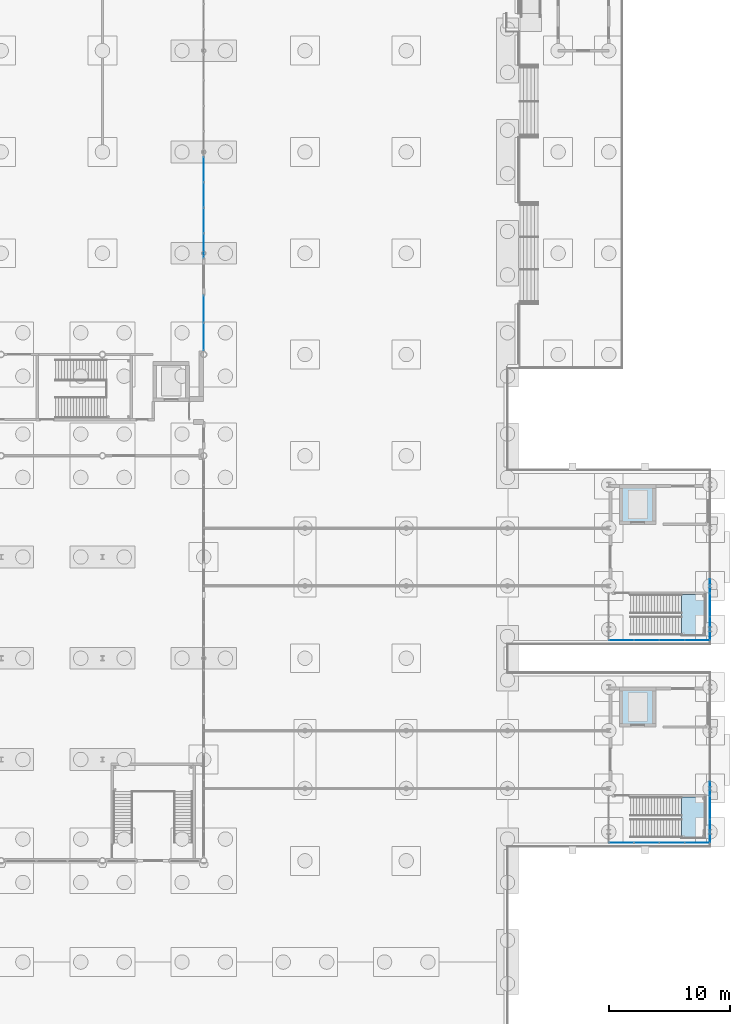
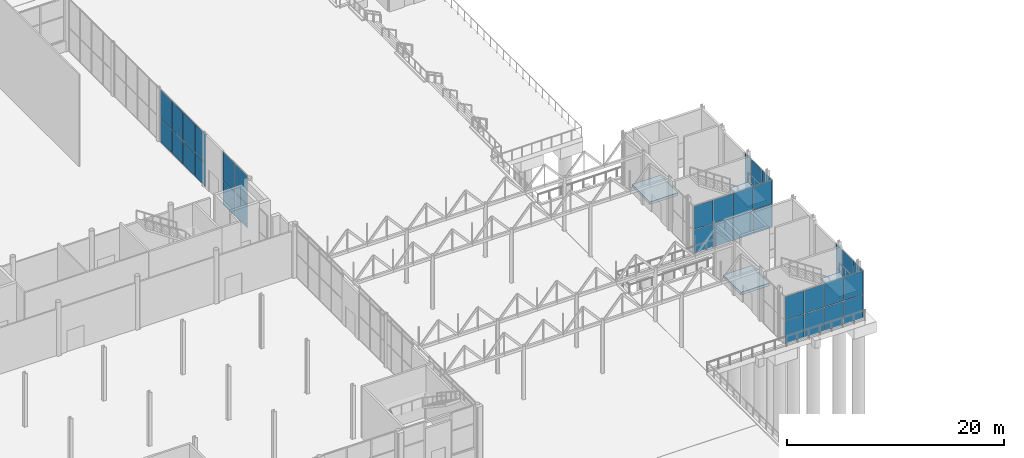
# One storey, part 175 of 212: 40 plates, 4 slabs, 10 elements without a shape of their own.
"""IFC4 building model written with IfcOpenShell, lengths in metres."""

from ifc_helpers import new_model, si_unit, direction, frame, origin, origin_2d, place, context, subcontext, project, spatial, polyline, rectangle, outline, extrude, material, layer, layer_set, type_object, element, aggregate, save


model = new_model("IFC4")

# Units and contexts
model_context = context("Model", 3, precision=1e-05, world=origin(), true_north=direction((0.0, 1.0)))
body_context = subcontext(model_context, "Body", "Model", "MODEL_VIEW")
ifc_project = project(units=[si_unit("LENGTHUNIT", "METRE"), si_unit("AREAUNIT", "SQUARE_METRE"), si_unit("VOLUMEUNIT", "CUBIC_METRE"), si_unit("PLANEANGLEUNIT", "RADIAN"), si_unit("MASSUNIT", "GRAM", prefix="KILO")], contexts=[model_context])

# Site, building, storey
site_placement = place(None, origin())
site = spatial("IfcSite", under=ifc_project, at=site_placement, CompositionType="ELEMENT")
building_placement = place(site_placement, origin())
building = spatial("IfcBuilding", under=site, at=building_placement, Name="Catenary Quay Ferry Terminal", CompositionType="ELEMENT")
storey_placement = place(building_placement, origin())
storey = spatial("IfcBuildingStorey", under=building, at=storey_placement, Name="L00", CompositionType="ELEMENT", Elevation=0.0)

# Slabs
ifc_material_1 = material(Name="Concrete C35/45", Category="concrete")
ifc_layer_1 = layer(ifc_material_1, 0.300048828125)
ifc_layer_set_1 = layer_set([ifc_layer_1], Name="Lift pit floor 300")
slab_type_1 = type_object("IfcSlabType", Name="Lift pit floor 300", PredefinedType="BASESLAB", material=ifc_layer_set_1)
slab_1_placement = place(storey_placement, frame((0.0, 0.0, -0.60009765625)))
element("IfcSlab", 1, at=slab_1_placement, inside=storey, type_object=slab_type_1, Name="Lift pit floor BL1", PredefinedType="BASESLAB", context=body_context, shape_type="SweptSolid", body=[
    extrude(outline(polyline([(129.89990234375, 78.300048828125), (129.89990234375, 81.60009765625), (126.89990234375, 81.60009765625), (126.89990234375, 78.300048828125), (129.89990234375, 78.300048828125)])), origin(), (0.0, 0.0, 1.0), 0.300048828125),
])
slab_2_placement = place(storey_placement, frame((0.0, 0.0, -0.60009765625)))
element("IfcSlab", 2, at=slab_2_placement, inside=storey, type_object=slab_type_1, Name="Lift pit floor BL2", PredefinedType="BASESLAB", context=body_context, shape_type="SweptSolid", body=[
    extrude(outline(polyline([(129.89990234375, 95.10009765625), (129.89990234375, 98.39990234375), (126.89990234375, 98.39990234375), (126.89990234375, 95.10009765625), (129.89990234375, 95.10009765625)])), origin(), (0.0, 0.0, 1.0), 0.300048828125),
])

# Curtain wall, plates
ifc_material_2 = material(Name="Aluminium and glass", Category="aluminium")
curtain_wall_type_1 = type_object("IfcCurtainWallType", Name="CWG", PredefinedType="NOTDEFINED", material=ifc_material_2)
curtain_wall_1_placement = place(storey_placement, origin())
curtain_wall_1 = element("IfcCurtainWall", 3, at=curtain_wall_1_placement, inside=storey, type_object=curtain_wall_type_1, Name="Gable departure hall curtain wall CW18", PredefinedType="NOTDEFINED")
ifc_material_3 = material(Name="Glass", Category="glass")
ifc_layer_2 = layer(ifc_material_3, 0.031982421875)
ifc_layer_set_2 = layer_set([ifc_layer_2], Name="PN1")
plate_type_1 = type_object("IfcPlateType", Name="PN1", PredefinedType="CURTAIN_PANEL", material=ifc_layer_set_2)
plate_1_placement = place(storey_placement, frame((92.39990234375, 110.677490234375, 0.06005859375), z_axis=(0.0, 0.0, 1.0), x_axis=(0.0, 1.0, 0.0)))
plate_1 = element("IfcPlate", 4, at=plate_1_placement, type_object=plate_type_1, Name="CW18 panel 1.1", PredefinedType="CURTAIN_PANEL", context=body_context, shape_type="SweptSolid", body=[
    extrude(rectangle(XDim=2.235107421875, YDim=0.031982421875, at=origin_2d()), origin(), (0.0, 0.0, 1.0), 2.610107421875),
])
plate_2_placement = place(storey_placement, frame((92.39990234375, 110.677490234375, 2.72998046875), z_axis=(0.0, 0.0, 1.0), x_axis=(0.0, 1.0, 0.0)))
plate_2 = element("IfcPlate", 5, at=plate_2_placement, type_object=plate_type_1, Name="CW18 panel 1.2", PredefinedType="CURTAIN_PANEL", context=body_context, shape_type="SweptSolid", body=[
    extrude(rectangle(XDim=2.235107421875, YDim=0.031982421875, at=origin_2d()), origin(), (0.0, 0.0, 1.0), 3.2099609375),
])
plate_3_placement = place(storey_placement, frame((92.39990234375, 112.972412109375, 0.06005859375), z_axis=(0.0, 0.0, 1.0), x_axis=(0.0, 1.0, 0.0)))
plate_3 = element("IfcPlate", 6, at=plate_3_placement, type_object=plate_type_1, Name="CW18 panel 2.1", PredefinedType="CURTAIN_PANEL", context=body_context, shape_type="SweptSolid", body=[
    extrude(rectangle(XDim=2.235107421875, YDim=0.031982421875, at=origin_2d()), origin(), (0.0, 0.0, 1.0), 2.610107421875),
])
plate_4_placement = place(storey_placement, frame((92.39990234375, 112.972412109375, 2.72998046875), z_axis=(0.0, 0.0, 1.0), x_axis=(0.0, 1.0, 0.0)))
plate_4 = element("IfcPlate", 7, at=plate_4_placement, type_object=plate_type_1, Name="CW18 panel 2.2", PredefinedType="CURTAIN_PANEL", context=body_context, shape_type="SweptSolid", body=[
    extrude(rectangle(XDim=2.235107421875, YDim=0.031982421875, at=origin_2d()), origin(), (0.0, 0.0, 1.0), 3.2099609375),
])
aggregate(curtain_wall_1, [plate_1, plate_2, plate_3, plate_4])

curtain_wall_2_placement = place(storey_placement, origin())
curtain_wall_2 = element("IfcCurtainWall", 8, at=curtain_wall_2_placement, inside=storey, type_object=curtain_wall_type_1, Name="Gable departure hall curtain wall CW19", PredefinedType="NOTDEFINED")
plate_5_placement = place(storey_placement, frame((92.39990234375, 118.22119140625, 0.06005859375), z_axis=(0.0, 0.0, 1.0), x_axis=(0.0, 1.0, 0.0)))
plate_5 = element("IfcPlate", 9, at=plate_5_placement, type_object=plate_type_1, Name="CW19 panel 1.1", PredefinedType="CURTAIN_PANEL", context=body_context, shape_type="SweptSolid", body=[
    extrude(rectangle(XDim=2.0224609375, YDim=0.031982421875, at=origin_2d()), origin(), (0.0, 0.0, 1.0), 2.610107421875),
])
plate_6_placement = place(storey_placement, frame((92.39990234375, 118.22119140625, 2.72998046875), z_axis=(0.0, 0.0, 1.0), x_axis=(0.0, 1.0, 0.0)))
plate_6 = element("IfcPlate", 10, at=plate_6_placement, type_object=plate_type_1, Name="CW19 panel 1.2", PredefinedType="CURTAIN_PANEL", context=body_context, shape_type="SweptSolid", body=[
    extrude(rectangle(XDim=2.0224609375, YDim=0.031982421875, at=origin_2d()), origin(), (0.0, 0.0, 1.0), 3.2099609375),
])
plate_7_placement = place(storey_placement, frame((92.39990234375, 120.31884765625, 0.06005859375), z_axis=(0.0, 0.0, 1.0), x_axis=(0.0, 1.0, 0.0)))
plate_7 = element("IfcPlate", 11, at=plate_7_placement, type_object=plate_type_1, Name="CW19 panel 2.1", PredefinedType="CURTAIN_PANEL", context=body_context, shape_type="SweptSolid", body=[
    extrude(rectangle(XDim=2.052490234375, YDim=0.031982421875, at=origin_2d()), origin(), (0.0, 0.0, 1.0), 2.610107421875),
])
plate_8_placement = place(storey_placement, frame((92.39990234375, 120.31884765625, 2.72998046875), z_axis=(0.0, 0.0, 1.0), x_axis=(0.0, 1.0, 0.0)))
plate_8 = element("IfcPlate", 12, at=plate_8_placement, type_object=plate_type_1, Name="CW19 panel 2.2", PredefinedType="CURTAIN_PANEL", context=body_context, shape_type="SweptSolid", body=[
    extrude(rectangle(XDim=2.052490234375, YDim=0.031982421875, at=origin_2d()), origin(), (0.0, 0.0, 1.0), 3.2099609375),
])
plate_9_placement = place(storey_placement, frame((92.39990234375, 122.43115234375, 0.06005859375), z_axis=(0.0, 0.0, 1.0), x_axis=(0.0, 1.0, 0.0)))
plate_9 = element("IfcPlate", 13, at=plate_9_placement, type_object=plate_type_1, Name="CW19 panel 3.1", PredefinedType="CURTAIN_PANEL", context=body_context, shape_type="SweptSolid", body=[
    extrude(rectangle(XDim=2.052490234375, YDim=0.031982421875, at=origin_2d()), origin(), (0.0, 0.0, 1.0), 2.610107421875),
])
plate_10_placement = place(storey_placement, frame((92.39990234375, 122.43115234375, 2.72998046875), z_axis=(0.0, 0.0, 1.0), x_axis=(0.0, 1.0, 0.0)))
plate_10 = element("IfcPlate", 14, at=plate_10_placement, type_object=plate_type_1, Name="CW19 panel 3.2", PredefinedType="CURTAIN_PANEL", context=body_context, shape_type="SweptSolid", body=[
    extrude(rectangle(XDim=2.052490234375, YDim=0.031982421875, at=origin_2d()), origin(), (0.0, 0.0, 1.0), 3.2099609375),
])
plate_11_placement = place(storey_placement, frame((92.39990234375, 124.543701171875, 0.06005859375), z_axis=(0.0, 0.0, 1.0), x_axis=(0.0, 1.0, 0.0)))
plate_11 = element("IfcPlate", 15, at=plate_11_placement, type_object=plate_type_1, Name="CW19 panel 4.1", PredefinedType="CURTAIN_PANEL", context=body_context, shape_type="SweptSolid", body=[
    extrude(rectangle(XDim=2.052490234375, YDim=0.031982421875, at=origin_2d()), origin(), (0.0, 0.0, 1.0), 2.610107421875),
])
plate_12_placement = place(storey_placement, frame((92.39990234375, 124.543701171875, 2.72998046875), z_axis=(0.0, 0.0, 1.0), x_axis=(0.0, 1.0, 0.0)))
plate_12 = element("IfcPlate", 16, at=plate_12_placement, type_object=plate_type_1, Name="CW19 panel 4.2", PredefinedType="CURTAIN_PANEL", context=body_context, shape_type="SweptSolid", body=[
    extrude(rectangle(XDim=2.052490234375, YDim=0.031982421875, at=origin_2d()), origin(), (0.0, 0.0, 1.0), 3.2099609375),
])
aggregate(curtain_wall_2, [plate_5, plate_6, plate_7, plate_8, plate_9, plate_10, plate_11, plate_12])

ifc_material_4 = material(Name="Aluminium and glass", Category="aluminium")
curtain_wall_type_2 = type_object("IfcCurtainWallType", Name="CWK", PredefinedType="NOTDEFINED", material=ifc_material_4)
curtain_wall_3_placement = place(storey_placement, origin())
curtain_wall_3 = element("IfcCurtainWall", 17, at=curtain_wall_3_placement, inside=storey, type_object=curtain_wall_type_2, Name="Head berth 1 stair curtain wall CW76", PredefinedType="NOTDEFINED")
ifc_material_5 = material(Name="Glass", Category="glass")
ifc_layer_3 = layer(ifc_material_5, 0.02490234375)
ifc_layer_set_3 = layer_set([ifc_layer_3], Name="PN3")
plate_type_2 = type_object("IfcPlateType", Name="PN3", PredefinedType="CURTAIN_PANEL", material=ifc_layer_set_3)
plate_13_placement = place(storey_placement, frame((127.0625, 68.699951171875, 0.050048828125), z_axis=(0.0, 0.0, 1.0), x_axis=(1.0, 0.0, 0.0)))
plate_13 = element("IfcPlate", 18, at=plate_13_placement, type_object=plate_type_2, Name="CW76 panel 1.1", PredefinedType="CURTAIN_PANEL", context=body_context, shape_type="SweptSolid", body=[
    extrude(rectangle(XDim=2.02490234375, YDim=0.02490234375, at=origin_2d()), origin(), (0.0, 0.0, 1.0), 2.625),
])
plate_14_placement = place(storey_placement, frame((127.0625, 68.699951171875, 2.72509765625), z_axis=(0.0, 0.0, 1.0), x_axis=(1.0, 0.0, 0.0)))
plate_14 = element("IfcPlate", 19, at=plate_14_placement, type_object=plate_type_2, Name="CW76 panel 1.2", PredefinedType="CURTAIN_PANEL", context=body_context, shape_type="SweptSolid", body=[
    extrude(rectangle(XDim=2.02490234375, YDim=0.02490234375, at=origin_2d()), origin(), (0.0, 0.0, 1.0), 2.625),
])
plate_15_placement = place(storey_placement, frame((129.14990234375, 68.699951171875, 0.050048828125), z_axis=(0.0, 0.0, 1.0), x_axis=(1.0, 0.0, 0.0)))
plate_15 = element("IfcPlate", 20, at=plate_15_placement, type_object=plate_type_2, Name="CW76 panel 2.1", PredefinedType="CURTAIN_PANEL", context=body_context, shape_type="SweptSolid", body=[
    extrude(rectangle(XDim=2.050048828125, YDim=0.02490234375, at=origin_2d()), origin(), (0.0, 0.0, 1.0), 2.625),
])
plate_16_placement = place(storey_placement, frame((129.14990234375, 68.699951171875, 2.72509765625), z_axis=(0.0, 0.0, 1.0), x_axis=(1.0, 0.0, 0.0)))
plate_16 = element("IfcPlate", 21, at=plate_16_placement, type_object=plate_type_2, Name="CW76 panel 2.2", PredefinedType="CURTAIN_PANEL", context=body_context, shape_type="SweptSolid", body=[
    extrude(rectangle(XDim=2.050048828125, YDim=0.02490234375, at=origin_2d()), origin(), (0.0, 0.0, 1.0), 2.625),
])
plate_17_placement = place(storey_placement, frame((131.25, 68.699951171875, 0.050048828125), z_axis=(0.0, 0.0, 1.0), x_axis=(1.0, 0.0, 0.0)))
plate_17 = element("IfcPlate", 22, at=plate_17_placement, type_object=plate_type_2, Name="CW76 panel 3.1", PredefinedType="CURTAIN_PANEL", context=body_context, shape_type="SweptSolid", body=[
    extrude(rectangle(XDim=2.050048828125, YDim=0.02490234375, at=origin_2d()), origin(), (0.0, 0.0, 1.0), 2.625),
])
plate_18_placement = place(storey_placement, frame((131.25, 68.699951171875, 2.72509765625), z_axis=(0.0, 0.0, 1.0), x_axis=(1.0, 0.0, 0.0)))
plate_18 = element("IfcPlate", 23, at=plate_18_placement, type_object=plate_type_2, Name="CW76 panel 3.2", PredefinedType="CURTAIN_PANEL", context=body_context, shape_type="SweptSolid", body=[
    extrude(rectangle(XDim=2.050048828125, YDim=0.02490234375, at=origin_2d()), origin(), (0.0, 0.0, 1.0), 2.625),
])
plate_19_placement = place(storey_placement, frame((133.33740234375, 68.699951171875, 0.050048828125), z_axis=(0.0, 0.0, 1.0), x_axis=(1.0, 0.0, 0.0)))
plate_19 = element("IfcPlate", 24, at=plate_19_placement, type_object=plate_type_2, Name="CW76 panel 4.1", PredefinedType="CURTAIN_PANEL", context=body_context, shape_type="SweptSolid", body=[
    extrude(rectangle(XDim=2.02490234375, YDim=0.02490234375, at=origin_2d()), origin(), (0.0, 0.0, 1.0), 2.625),
])
plate_20_placement = place(storey_placement, frame((133.33740234375, 68.699951171875, 2.72509765625), z_axis=(0.0, 0.0, 1.0), x_axis=(1.0, 0.0, 0.0)))
plate_20 = element("IfcPlate", 25, at=plate_20_placement, type_object=plate_type_2, Name="CW76 panel 4.2", PredefinedType="CURTAIN_PANEL", context=body_context, shape_type="SweptSolid", body=[
    extrude(rectangle(XDim=2.02490234375, YDim=0.02490234375, at=origin_2d()), origin(), (0.0, 0.0, 1.0), 2.625),
])
aggregate(curtain_wall_3, [plate_13, plate_14, plate_15, plate_16, plate_17, plate_18, plate_19, plate_20])

curtain_wall_4_placement = place(storey_placement, origin())
curtain_wall_4 = element("IfcCurtainWall", 26, at=curtain_wall_4_placement, inside=storey, type_object=curtain_wall_type_2, Name="Head berth 1 stair curtain wall CW77", PredefinedType="NOTDEFINED")
plate_21_placement = place(storey_placement, frame((134.39990234375, 69.6875, 0.050048828125), z_axis=(0.0, 0.0, 1.0), x_axis=(0.0, 1.0, 0.0)))
plate_21 = element("IfcPlate", 27, at=plate_21_placement, type_object=plate_type_2, Name="CW77 panel 1.1", PredefinedType="CURTAIN_PANEL", context=body_context, shape_type="SweptSolid", body=[
    extrude(rectangle(XDim=1.875, YDim=0.02490234375, at=origin_2d()), origin(), (0.0, 0.0, 1.0), 2.625),
])
plate_22_placement = place(storey_placement, frame((134.39990234375, 69.6875, 2.72509765625), z_axis=(0.0, 0.0, 1.0), x_axis=(0.0, 1.0, 0.0)))
plate_22 = element("IfcPlate", 28, at=plate_22_placement, type_object=plate_type_2, Name="CW77 panel 1.2", PredefinedType="CURTAIN_PANEL", context=body_context, shape_type="SweptSolid", body=[
    extrude(rectangle(XDim=1.875, YDim=0.02490234375, at=origin_2d()), origin(), (0.0, 0.0, 1.0), 2.625),
])
plate_23_placement = place(storey_placement, frame((134.39990234375, 71.612548828125, 0.050048828125), z_axis=(0.0, 0.0, 1.0), x_axis=(0.0, 1.0, 0.0)))
plate_23 = element("IfcPlate", 29, at=plate_23_placement, type_object=plate_type_2, Name="CW77 panel 2.1", PredefinedType="CURTAIN_PANEL", context=body_context, shape_type="SweptSolid", body=[
    extrude(rectangle(XDim=1.875, YDim=0.02490234375, at=origin_2d()), origin(), (0.0, 0.0, 1.0), 2.625),
])
plate_24_placement = place(storey_placement, frame((134.39990234375, 71.612548828125, 2.72509765625), z_axis=(0.0, 0.0, 1.0), x_axis=(0.0, 1.0, 0.0)))
plate_24 = element("IfcPlate", 30, at=plate_24_placement, type_object=plate_type_2, Name="CW77 panel 2.2", PredefinedType="CURTAIN_PANEL", context=body_context, shape_type="SweptSolid", body=[
    extrude(rectangle(XDim=1.875, YDim=0.02490234375, at=origin_2d()), origin(), (0.0, 0.0, 1.0), 2.625),
])
aggregate(curtain_wall_4, [plate_21, plate_22, plate_23, plate_24])

curtain_wall_5_placement = place(storey_placement, origin())
curtain_wall_5 = element("IfcCurtainWall", 31, at=curtain_wall_5_placement, inside=storey, type_object=curtain_wall_type_2, Name="Head berth 1 lobby curtain wall CW79", PredefinedType="NOTDEFINED")
plate_25_placement = place(storey_placement, frame((134.39990234375, 73.199951171875, 0.050048828125), z_axis=(0.0, 0.0, 1.0), x_axis=(0.0, 1.0, 0.0)))
plate_25 = element("IfcPlate", 32, at=plate_25_placement, type_object=plate_type_2, Name="CW79 panel 1.1", PredefinedType="CURTAIN_PANEL", context=body_context, shape_type="SweptSolid", body=[
    extrude(rectangle(XDim=1.10009765625, YDim=0.02490234375, at=origin_2d()), origin(), (0.0, 0.0, 1.0), 2.625),
])
plate_26_placement = place(storey_placement, frame((134.39990234375, 73.199951171875, 2.72509765625), z_axis=(0.0, 0.0, 1.0), x_axis=(0.0, 1.0, 0.0)))
plate_26 = element("IfcPlate", 33, at=plate_26_placement, type_object=plate_type_2, Name="CW79 panel 1.2", PredefinedType="CURTAIN_PANEL", context=body_context, shape_type="SweptSolid", body=[
    extrude(rectangle(XDim=1.10009765625, YDim=0.02490234375, at=origin_2d()), origin(), (0.0, 0.0, 1.0), 2.625),
])
aggregate(curtain_wall_5, [plate_25, plate_26])

curtain_wall_6_placement = place(storey_placement, origin())
curtain_wall_6 = element("IfcCurtainWall", 34, at=curtain_wall_6_placement, inside=storey, type_object=curtain_wall_type_2, Name="Head berth 2 stair curtain wall CW84", PredefinedType="NOTDEFINED")
plate_27_placement = place(storey_placement, frame((127.0625, 85.5, 0.050048828125), z_axis=(0.0, 0.0, 1.0), x_axis=(1.0, 0.0, 0.0)))
plate_27 = element("IfcPlate", 35, at=plate_27_placement, type_object=plate_type_2, Name="CW84 panel 1.1", PredefinedType="CURTAIN_PANEL", context=body_context, shape_type="SweptSolid", body=[
    extrude(rectangle(XDim=2.02490234375, YDim=0.02490234375, at=origin_2d()), origin(), (0.0, 0.0, 1.0), 2.625),
])
plate_28_placement = place(storey_placement, frame((127.0625, 85.5, 2.72509765625), z_axis=(0.0, 0.0, 1.0), x_axis=(1.0, 0.0, 0.0)))
plate_28 = element("IfcPlate", 36, at=plate_28_placement, type_object=plate_type_2, Name="CW84 panel 1.2", PredefinedType="CURTAIN_PANEL", context=body_context, shape_type="SweptSolid", body=[
    extrude(rectangle(XDim=2.02490234375, YDim=0.02490234375, at=origin_2d()), origin(), (0.0, 0.0, 1.0), 2.625),
])
plate_29_placement = place(storey_placement, frame((129.14990234375, 85.5, 0.050048828125), z_axis=(0.0, 0.0, 1.0), x_axis=(1.0, 0.0, 0.0)))
plate_29 = element("IfcPlate", 37, at=plate_29_placement, type_object=plate_type_2, Name="CW84 panel 2.1", PredefinedType="CURTAIN_PANEL", context=body_context, shape_type="SweptSolid", body=[
    extrude(rectangle(XDim=2.050048828125, YDim=0.02490234375, at=origin_2d()), origin(), (0.0, 0.0, 1.0), 2.625),
])
plate_30_placement = place(storey_placement, frame((129.14990234375, 85.5, 2.72509765625), z_axis=(0.0, 0.0, 1.0), x_axis=(1.0, 0.0, 0.0)))
plate_30 = element("IfcPlate", 38, at=plate_30_placement, type_object=plate_type_2, Name="CW84 panel 2.2", PredefinedType="CURTAIN_PANEL", context=body_context, shape_type="SweptSolid", body=[
    extrude(rectangle(XDim=2.050048828125, YDim=0.02490234375, at=origin_2d()), origin(), (0.0, 0.0, 1.0), 2.625),
])
plate_31_placement = place(storey_placement, frame((131.25, 85.5, 0.050048828125), z_axis=(0.0, 0.0, 1.0), x_axis=(1.0, 0.0, 0.0)))
plate_31 = element("IfcPlate", 39, at=plate_31_placement, type_object=plate_type_2, Name="CW84 panel 3.1", PredefinedType="CURTAIN_PANEL", context=body_context, shape_type="SweptSolid", body=[
    extrude(rectangle(XDim=2.050048828125, YDim=0.02490234375, at=origin_2d()), origin(), (0.0, 0.0, 1.0), 2.625),
])
plate_32_placement = place(storey_placement, frame((131.25, 85.5, 2.72509765625), z_axis=(0.0, 0.0, 1.0), x_axis=(1.0, 0.0, 0.0)))
plate_32 = element("IfcPlate", 40, at=plate_32_placement, type_object=plate_type_2, Name="CW84 panel 3.2", PredefinedType="CURTAIN_PANEL", context=body_context, shape_type="SweptSolid", body=[
    extrude(rectangle(XDim=2.050048828125, YDim=0.02490234375, at=origin_2d()), origin(), (0.0, 0.0, 1.0), 2.625),
])
plate_33_placement = place(storey_placement, frame((133.33740234375, 85.5, 0.050048828125), z_axis=(0.0, 0.0, 1.0), x_axis=(1.0, 0.0, 0.0)))
plate_33 = element("IfcPlate", 41, at=plate_33_placement, type_object=plate_type_2, Name="CW84 panel 4.1", PredefinedType="CURTAIN_PANEL", context=body_context, shape_type="SweptSolid", body=[
    extrude(rectangle(XDim=2.02490234375, YDim=0.02490234375, at=origin_2d()), origin(), (0.0, 0.0, 1.0), 2.625),
])
plate_34_placement = place(storey_placement, frame((133.33740234375, 85.5, 2.72509765625), z_axis=(0.0, 0.0, 1.0), x_axis=(1.0, 0.0, 0.0)))
plate_34 = element("IfcPlate", 42, at=plate_34_placement, type_object=plate_type_2, Name="CW84 panel 4.2", PredefinedType="CURTAIN_PANEL", context=body_context, shape_type="SweptSolid", body=[
    extrude(rectangle(XDim=2.02490234375, YDim=0.02490234375, at=origin_2d()), origin(), (0.0, 0.0, 1.0), 2.625),
])
aggregate(curtain_wall_6, [plate_27, plate_28, plate_29, plate_30, plate_31, plate_32, plate_33, plate_34])

curtain_wall_7_placement = place(storey_placement, origin())
curtain_wall_7 = element("IfcCurtainWall", 43, at=curtain_wall_7_placement, inside=storey, type_object=curtain_wall_type_2, Name="Head berth 2 stair curtain wall CW85", PredefinedType="NOTDEFINED")
plate_35_placement = place(storey_placement, frame((134.39990234375, 86.487548828125, 0.050048828125), z_axis=(0.0, 0.0, 1.0), x_axis=(0.0, 1.0, 0.0)))
plate_35 = element("IfcPlate", 44, at=plate_35_placement, type_object=plate_type_2, Name="CW85 panel 1.1", PredefinedType="CURTAIN_PANEL", context=body_context, shape_type="SweptSolid", body=[
    extrude(rectangle(XDim=1.875, YDim=0.02490234375, at=origin_2d()), origin(), (0.0, 0.0, 1.0), 2.625),
])
plate_36_placement = place(storey_placement, frame((134.39990234375, 86.487548828125, 2.72509765625), z_axis=(0.0, 0.0, 1.0), x_axis=(0.0, 1.0, 0.0)))
plate_36 = element("IfcPlate", 45, at=plate_36_placement, type_object=plate_type_2, Name="CW85 panel 1.2", PredefinedType="CURTAIN_PANEL", context=body_context, shape_type="SweptSolid", body=[
    extrude(rectangle(XDim=1.875, YDim=0.02490234375, at=origin_2d()), origin(), (0.0, 0.0, 1.0), 2.625),
])
plate_37_placement = place(storey_placement, frame((134.39990234375, 88.41259765625, 0.050048828125), z_axis=(0.0, 0.0, 1.0), x_axis=(0.0, 1.0, 0.0)))
plate_37 = element("IfcPlate", 46, at=plate_37_placement, type_object=plate_type_2, Name="CW85 panel 2.1", PredefinedType="CURTAIN_PANEL", context=body_context, shape_type="SweptSolid", body=[
    extrude(rectangle(XDim=1.875, YDim=0.02490234375, at=origin_2d()), origin(), (0.0, 0.0, 1.0), 2.625),
])
plate_38_placement = place(storey_placement, frame((134.39990234375, 88.41259765625, 2.72509765625), z_axis=(0.0, 0.0, 1.0), x_axis=(0.0, 1.0, 0.0)))
plate_38 = element("IfcPlate", 47, at=plate_38_placement, type_object=plate_type_2, Name="CW85 panel 2.2", PredefinedType="CURTAIN_PANEL", context=body_context, shape_type="SweptSolid", body=[
    extrude(rectangle(XDim=1.875, YDim=0.02490234375, at=origin_2d()), origin(), (0.0, 0.0, 1.0), 2.625),
])
aggregate(curtain_wall_7, [plate_35, plate_36, plate_37, plate_38])

curtain_wall_8_placement = place(storey_placement, origin())
curtain_wall_8 = element("IfcCurtainWall", 48, at=curtain_wall_8_placement, inside=storey, type_object=curtain_wall_type_2, Name="Head berth 2 lobby curtain wall CW87", PredefinedType="NOTDEFINED")
plate_39_placement = place(storey_placement, frame((134.39990234375, 90.0, 0.050048828125), z_axis=(0.0, 0.0, 1.0), x_axis=(0.0, 1.0, 0.0)))
plate_39 = element("IfcPlate", 49, at=plate_39_placement, type_object=plate_type_2, Name="CW87 panel 1.1", PredefinedType="CURTAIN_PANEL", context=body_context, shape_type="SweptSolid", body=[
    extrude(rectangle(XDim=1.10009765625, YDim=0.02490234375, at=origin_2d()), origin(), (0.0, 0.0, 1.0), 2.625),
])
plate_40_placement = place(storey_placement, frame((134.39990234375, 90.0, 2.72509765625), z_axis=(0.0, 0.0, 1.0), x_axis=(0.0, 1.0, 0.0)))
plate_40 = element("IfcPlate", 50, at=plate_40_placement, type_object=plate_type_2, Name="CW87 panel 1.2", PredefinedType="CURTAIN_PANEL", context=body_context, shape_type="SweptSolid", body=[
    extrude(rectangle(XDim=1.10009765625, YDim=0.02490234375, at=origin_2d()), origin(), (0.0, 0.0, 1.0), 2.625),
])
aggregate(curtain_wall_8, [plate_39, plate_40])

# Stair, slab
ifc_material_6 = material(Name="Concrete C35/45", Category="concrete")
stair_type = type_object("IfcStairType", Name="STX1600", PredefinedType="HALF_TURN_STAIR", material=ifc_material_6)
stair_1_placement = place(storey_placement, origin())
stair_1 = element("IfcStair", 51, at=stair_1_placement, inside=storey, type_object=stair_type, Name="Stair HB1 L00 to L01", PredefinedType="HALF_TURN_STAIR")
ifc_material_7 = material(Name="Concrete C35/45", Category="concrete")
ifc_layer_4 = layer(ifc_material_7, 0.199951171875)
ifc_layer_set_4 = layer_set([ifc_layer_4], Name="SLX1600")
slab_type_2 = type_object("IfcSlabType", Name="SLX1600", PredefinedType="LANDING", material=ifc_layer_set_4)
slab_3_placement = place(storey_placement, frame((0.0, 0.0, 2.800048828125)))
slab_3 = element("IfcSlab", 52, at=slab_3_placement, type_object=slab_type_2, Name="HB1-L00 landing 1", PredefinedType="LANDING", context=body_context, shape_type="SweptSolid", body=[
    extrude(outline(polyline([(132.050048828125, 69.10009765625), (134.0, 69.10009765625), (134.0, 72.5), (132.050048828125, 72.5), (132.050048828125, 69.10009765625)])), origin(), (0.0, 0.0, 1.0), 0.199951171875),
])
aggregate(stair_1, [slab_3])

stair_2_placement = place(storey_placement, origin())
stair_2 = element("IfcStair", 53, at=stair_2_placement, inside=storey, type_object=stair_type, Name="Stair HB2 L00 to L01", PredefinedType="HALF_TURN_STAIR")
slab_4_placement = place(storey_placement, frame((0.0, 0.0, 2.800048828125)))
slab_4 = element("IfcSlab", 54, at=slab_4_placement, type_object=slab_type_2, Name="HB2-L00 landing 1", PredefinedType="LANDING", context=body_context, shape_type="SweptSolid", body=[
    extrude(outline(polyline([(132.050048828125, 85.89990234375), (134.0, 85.89990234375), (134.0, 89.300048828125), (132.050048828125, 89.300048828125), (132.050048828125, 85.89990234375)])), origin(), (0.0, 0.0, 1.0), 0.199951171875),
])
aggregate(stair_2, [slab_4])

save(model, "model.ifc")
